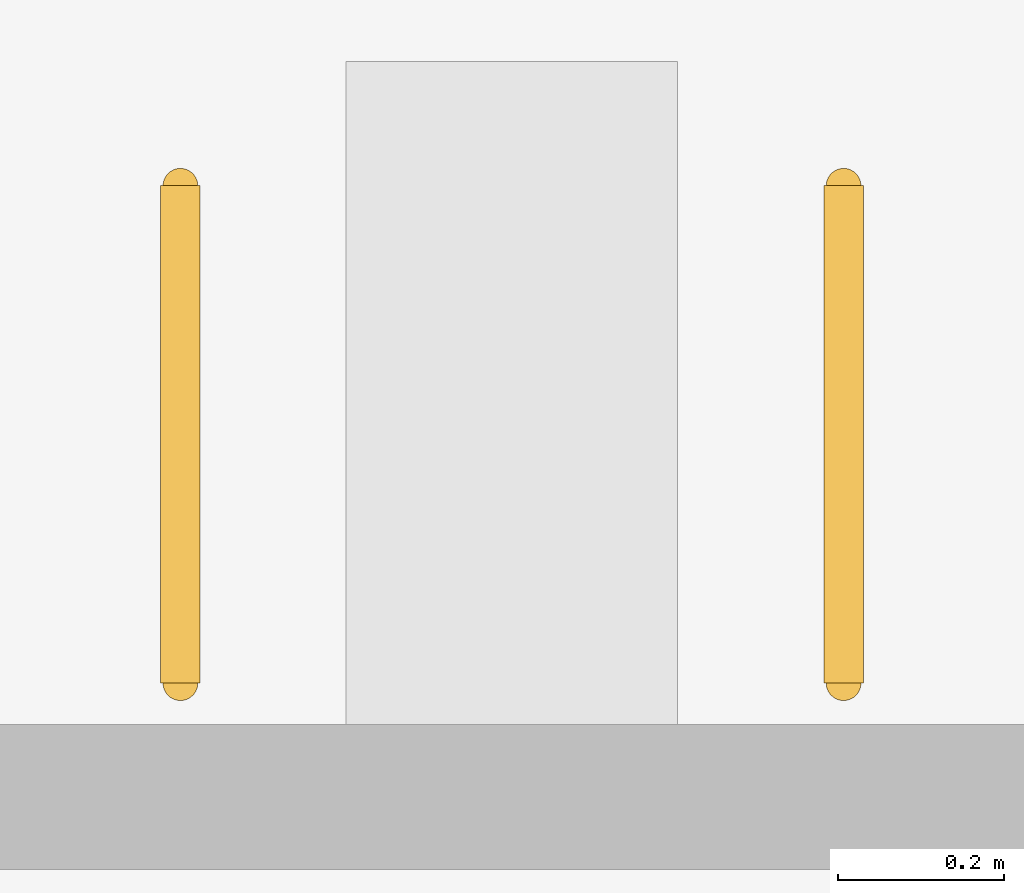
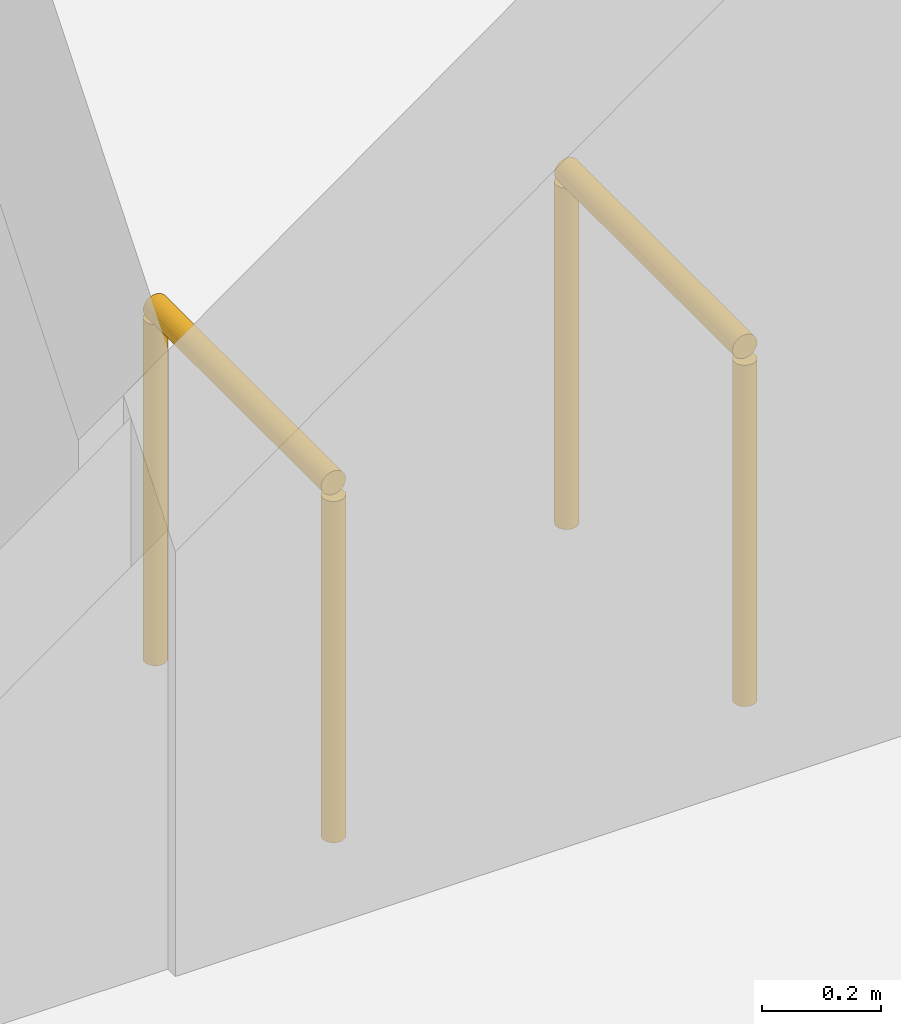
# One storey, part 117 of 123: 2 railings.
"""IFC4 building model written with IfcOpenShell, lengths in metres."""

from ifc_helpers import new_model, si_unit, direction, frame, origin, origin_2d, place, context, subcontext, project, spatial, circle, extrude, material, type_object, element, save


model = new_model("IFC4")

# Units and contexts
model_context = context("Model", 3, precision=1e-05, world=origin(), true_north=direction((0.0, 1.0)))
body_context = subcontext(model_context, "Body", "Model", "MODEL_VIEW")
ifc_project = project(units=[si_unit("LENGTHUNIT", "METRE"), si_unit("AREAUNIT", "SQUARE_METRE"), si_unit("VOLUMEUNIT", "CUBIC_METRE"), si_unit("PLANEANGLEUNIT", "RADIAN"), si_unit("MASSUNIT", "GRAM", prefix="KILO")], contexts=[model_context])

# Site, building, storey
site_placement = place(None, origin())
site = spatial("IfcSite", under=ifc_project, at=site_placement, CompositionType="ELEMENT")
building_placement = place(site_placement, origin())
building = spatial("IfcBuilding", under=site, at=building_placement, Name="Baradari Gate Terminus", CompositionType="ELEMENT")
storey_placement = place(building_placement, frame((0.0, 0.0, 7.5)))
storey = spatial("IfcBuildingStorey", under=building, at=storey_placement, Name="L01", CompositionType="ELEMENT", Elevation=7.5)

# Railings
ifc_material = material(Name="Stainless steel 1.4301", Category="steel")
railing_type = type_object("IfcRailingType", Name="Grab rail GB-1 750", PredefinedType="HANDRAIL", material=ifc_material)
for number, where, name in (
    (1, (144.4375, 21.137451171875, 0.0), "Grab rail Accessible WC"),
    (2, (145.237548828125, 21.137451171875, 0.0), "Grab rail Accessible WC"),
):
    element("IfcRailing", number, at=place(storey_placement, frame(where)), inside=storey, type_object=railing_type, Name=name, PredefinedType="HANDRAIL", context=body_context, shape_type="SweptSolid", body=[
        extrude(circle(Radius=0.02392578125, at=origin_2d()), frame((0.0, 0.0, 0.72607421875), z_axis=(0.0, 1.0, 0.0), x_axis=(-1.0, 0.0, 0.0)), (0.0, 0.0, 1.0), 0.60009765625),
        extrude(circle(Radius=0.02099609375, at=origin_2d()), origin(), (0.0, 0.0, 1.0), 0.701904296875),
        extrude(circle(Radius=0.02099609375, at=origin_2d()), frame((0.0, 0.60009765625, 0.0)), (0.0, 0.0, 1.0), 0.701904296875),
    ])

save(model, "model.ifc")
